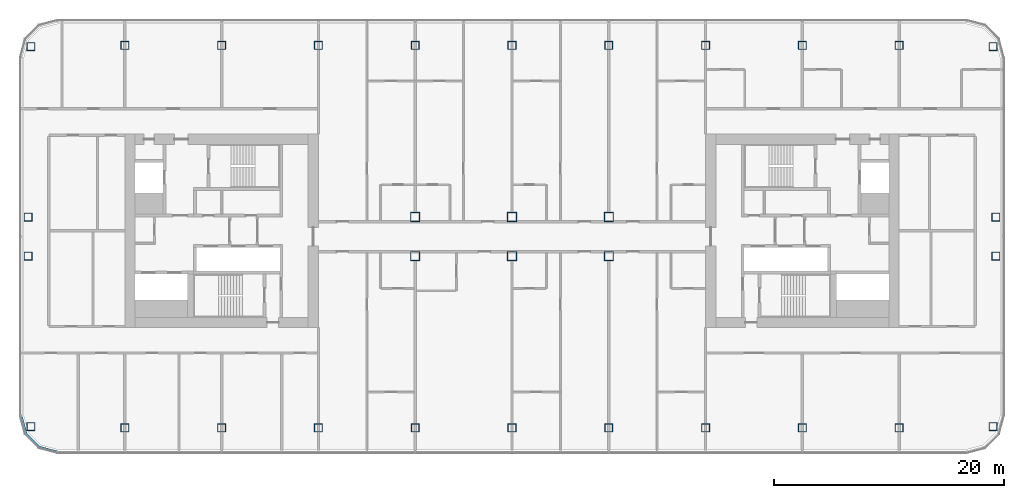
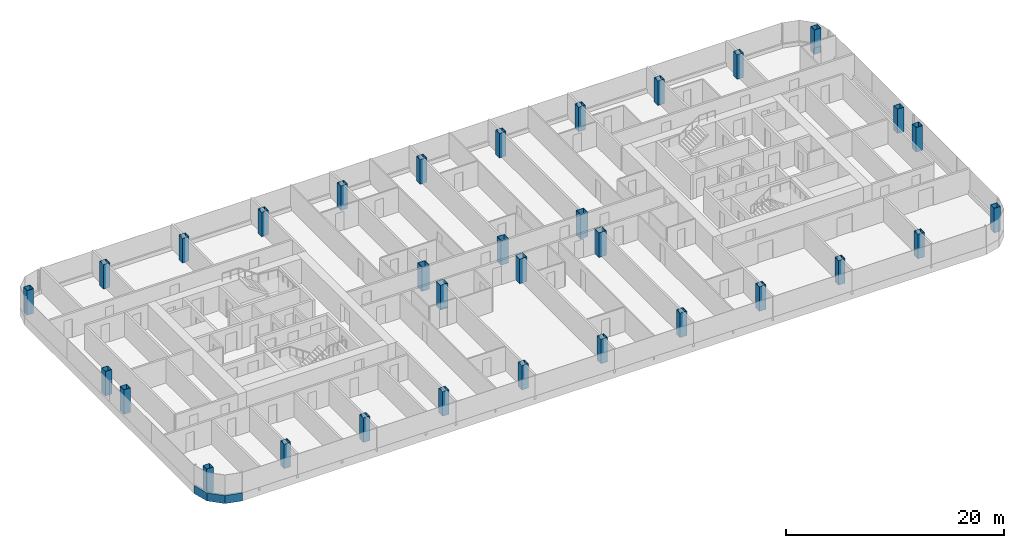
# One storey, part 1 of 26: 32 columns, 1 member, 1 element without a shape of its own.
"""IFC4 building model written with IfcOpenShell, lengths in metres."""

import ifcopenshell
import ifcopenshell.guid

model = None  # the IFC model being written
_history = None  # IfcOwnerHistory: only IFC2X3 demands one
_inside = {}  # id of a spatial element -> (the spatial element, [elements in it])
_under = {}  # id of a project, library or spatial element -> (it, [spatial elements below it])
_declared = {}  # id of a project -> (the project, [libraries it declares])
_typed = {}  # id of a type object -> (the type object, [elements of that type])
_made_of = {}  # id of a material, layer set ... -> (it, [elements and type objects made of it])


def new_model(schema):
    """Start an empty IFC model of exactly this schema.

    Asked for "IFC4X3", IfcOpenShell would pick the latest addendum, in which some entities
    have other attributes; the version numbers below select the first issue.
    IFC2X3 requires an IfcOwnerHistory on every rooted entity: one is made here for all.
    """
    global model, _history
    if schema == "IFC4X3":
        model = ifcopenshell.file(schema_version=(4, 3, 0, 0))
    else:
        model = ifcopenshell.file(schema=schema)
    _inside.clear()
    _under.clear()
    _declared.clear()
    _typed.clear()
    _made_of.clear()
    _history = None
    if model.schema == "IFC2X3":
        org = make("IfcOrganization", Name="unknown")
        user = make(
            "IfcPersonAndOrganization",
            ThePerson=make("IfcPerson", FamilyName="unknown"),
            TheOrganization=org,
        )
        app = make(
            "IfcApplication",
            ApplicationDeveloper=org,
            Version="unknown",
            ApplicationFullName="unknown",
            ApplicationIdentifier="unknown",
        )
        _history = make(
            "IfcOwnerHistory",
            OwningUser=user,
            OwningApplication=app,
            ChangeAction="ADDED",
            CreationDate=0,
        )
    return model


def make(cls, **values):
    """One entity of the class cls with the attributes given. An attribute that is None is left unset."""
    return model.create_entity(
        cls, **{name: value for name, value in values.items() if value is not None}
    )


def rooted(cls, **values):
    """An entity with a GlobalId (a new one), such as an element, a storey or a relation."""
    return make(cls, GlobalId=ifcopenshell.guid.new(), OwnerHistory=_history, **values)


def si_unit(unit_type, name, prefix=None):
    """IfcSIUnit, for example si_unit("LENGTHUNIT", "METRE", prefix="MILLI")."""
    return make("IfcSIUnit", UnitType=unit_type, Prefix=prefix, Name=name)


def assignment(units):
    """IfcUnitAssignment: the units of a project."""
    return None if units is None else make("IfcUnitAssignment", Units=units)


def point(xyz):
    """IfcCartesianPoint."""
    return None if xyz is None else make("IfcCartesianPoint", Coordinates=xyz)


def direction(xyz):
    """IfcDirection."""
    return None if xyz is None else make("IfcDirection", DirectionRatios=xyz)


def frame(location, z_axis=None, x_axis=None):
    """IfcAxis2Placement3D, a coordinate frame: its origin and axes. An axis left out is left unset."""
    return make(
        "IfcAxis2Placement3D",
        Location=point(location),
        Axis=direction(z_axis),
        RefDirection=direction(x_axis),
    )


def frame_2d(location, x_axis=None):
    """IfcAxis2Placement2D, a coordinate frame in the plane: its origin and x axis."""
    return make(
        "IfcAxis2Placement2D", Location=point(location), RefDirection=direction(x_axis)
    )


def origin():
    """The frame at (0, 0, 0) with its axes left unset."""
    return frame((0.0, 0.0, 0.0))


def origin_2d():
    """The frame at (0, 0) in the plane with its x axis left unset."""
    return frame_2d((0.0, 0.0))


def place(relative_to, where):
    """IfcLocalPlacement: puts the frame where relative to a parent placement (None: the world)."""
    return make(
        "IfcLocalPlacement", PlacementRelTo=relative_to, RelativePlacement=where
    )


def context(
    kind, dimensions, precision=None, world=None, true_north=None, identifier=None
):
    """IfcGeometricRepresentationContext, for example the 3D "Model" context."""
    return make(
        "IfcGeometricRepresentationContext",
        ContextIdentifier=identifier,
        ContextType=kind,
        CoordinateSpaceDimension=dimensions,
        Precision=precision,
        WorldCoordinateSystem=world,
        TrueNorth=true_north,
    )


def subcontext(parent, identifier, kind, view, scale=None):
    """IfcGeometricRepresentationSubContext, for example "Body" below "Model"."""
    return make(
        "IfcGeometricRepresentationSubContext",
        ContextIdentifier=identifier,
        ContextType=kind,
        ParentContext=parent,
        TargetScale=scale,
        TargetView=view,
    )


def project(units=None, contexts=None):
    """IfcProject with its units and contexts."""
    return rooted(
        "IfcProject",
        Name="project",
        RepresentationContexts=contexts,
        UnitsInContext=assignment(units),
    )


def spatial(cls, under=None, at=None, **own):
    """A site, building, storey or space (cls), placed at a placement, below another one or the project."""
    s = rooted(cls, ObjectPlacement=at, **own)
    if under is not None:
        _under.setdefault(under.id(), (under, []))[1].append(s)
    return s


def polyline(points):
    """IfcPolyline through the points."""
    return make("IfcPolyline", Points=[point(p) for p in points])


def profile(cls, at=None, kind="AREA", **sizes):
    """A parametric profile (cls). Its sizes go by their IFC names, for example OverallWidth=200.0."""
    return make(cls, ProfileType=kind, Position=at, **sizes)


def rectangle(**sizes):
    """IfcRectangleProfileDef."""
    return profile("IfcRectangleProfileDef", **sizes)


def hollow_rectangle(**sizes):
    """IfcRectangleHollowProfileDef."""
    return profile("IfcRectangleHollowProfileDef", **sizes)


def outline(outer, holes=None, kind="AREA"):
    """IfcArbitraryClosedProfileDef: a profile drawn as a closed curve; with holes, ...WithVoids."""
    if holes is None:
        return make("IfcArbitraryClosedProfileDef", ProfileType=kind, OuterCurve=outer)
    return make(
        "IfcArbitraryProfileDefWithVoids",
        ProfileType=kind,
        OuterCurve=outer,
        InnerCurves=holes,
    )


def extrude(swept, where, along, depth):
    """IfcExtrudedAreaSolid: the profile swept, set in the frame where, extruded along a direction by depth."""
    return make(
        "IfcExtrudedAreaSolid",
        SweptArea=swept,
        Position=where,
        ExtrudedDirection=direction(along),
        Depth=depth,
    )


def shape(context_of_items, identifier, shape_type, items):
    """IfcShapeRepresentation: the items that make up one representation, for example the "Body"."""
    return make(
        "IfcShapeRepresentation",
        ContextOfItems=context_of_items,
        RepresentationIdentifier=identifier,
        RepresentationType=shape_type,
        Items=items,
    )


def material(Name=None, Category=None):
    """IfcMaterial."""
    return make("IfcMaterial", Name=Name, Category=Category)


def layer(
    of_material, thickness, ventilated=None, Name=None, Category=None, Priority=None
):
    """IfcMaterialLayer: one layer of a wall or slab, of a material (None: an air gap)."""
    return make(
        "IfcMaterialLayer",
        Material=of_material,
        LayerThickness=thickness,
        IsVentilated=ventilated,
        Name=Name,
        Category=Category,
        Priority=Priority,
    )


def layer_set(layers, Name=None):
    """IfcMaterialLayerSet."""
    return make("IfcMaterialLayerSet", MaterialLayers=layers, LayerSetName=Name)


def material_profile(
    of_material, cross_section, Name=None, Category=None, Priority=None
):
    """IfcMaterialProfile: a cross section and its material."""
    return make(
        "IfcMaterialProfile",
        Name=Name,
        Material=of_material,
        Profile=cross_section,
        Priority=Priority,
        Category=Category,
    )


def profile_set(profiles, Name=None, composite=None):
    """IfcMaterialProfileSet."""
    return make(
        "IfcMaterialProfileSet",
        Name=Name,
        MaterialProfiles=profiles,
        CompositeProfile=composite,
    )


def made_of(thing, what):
    """Note that an element or type object is made of a material, layer set ...; save() writes the relation."""
    if what is not None:
        _made_of.setdefault(what.id(), (what, []))[1].append(thing)
    return thing


def type_object(cls, material=None, **own):
    """A type object (cls), such as IfcWallType, which elements share."""
    return made_of(rooted(cls, **own), material)


def element(
    cls,
    number,
    at=None,
    inside=None,
    cuts=None,
    type_object=None,
    material=None,
    context=None,
    identifier="Body",
    shape_type=None,
    held_by="IfcProductDefinitionShape",
    body=None,
    shapes=None,
    **own,
):
    """One element of the class cls, such as IfcWall. Its Tag is "e" and its number.

    at: its placement. inside: the storey or other place that contains it. cuts: it is an
    opening in that element (IfcRelVoidsElement). A single representation is given by context,
    identifier, shape_type and body (its items); several are given by shapes. held_by: the class
    of the entity that holds the representations. save() writes the other relations.
    """
    e = rooted(cls, Tag="e%d" % number, ObjectPlacement=at, **own)
    if body is not None:
        shapes = [shape(context, identifier, shape_type, body)]
    if shapes is not None:
        e.Representation = make(held_by, Representations=shapes)
    if inside is not None:
        _inside.setdefault(inside.id(), (inside, []))[1].append(e)
    if cuts is not None:
        rooted(
            "IfcRelVoidsElement", RelatingBuildingElement=cuts, RelatedOpeningElement=e
        )
    if type_object is not None:
        _typed.setdefault(type_object.id(), (type_object, []))[1].append(e)
    return made_of(e, material)


def aggregate(whole, parts):
    """IfcRelAggregates: a whole, such as a stair, and the parts it consists of."""
    return rooted("IfcRelAggregates", RelatingObject=whole, RelatedObjects=parts)


def save(model, path):
    """Write the relations noted so far, then the file.

    IfcRelAggregates (storeys below a building ...), IfcRelContainedInSpatialStructure (elements
    in a storey), IfcRelDefinesByType, IfcRelAssociatesMaterial and IfcRelDeclares: one each for
    every whole, place, type object, material and project.
    """
    for whole, parts in _under.values():
        aggregate(whole, parts)
    for where, things in _inside.values():
        rooted(
            "IfcRelContainedInSpatialStructure",
            RelatedElements=things,
            RelatingStructure=where,
        )
    for kind, things in _typed.values():
        rooted("IfcRelDefinesByType", RelatedObjects=things, RelatingType=kind)
    for what, things in _made_of.values():
        rooted("IfcRelAssociatesMaterial", RelatedObjects=things, RelatingMaterial=what)
    for by, libraries in _declared.values():
        rooted("IfcRelDeclares", RelatingContext=by, RelatedDefinitions=libraries)
    model.write(path)


model = new_model("IFC4")

# Units and contexts
model_context = context("Model", 3, precision=1e-05, world=origin(), true_north=direction((0.0, 1.0)))
body_context = subcontext(model_context, "Body", "Model", "MODEL_VIEW")
ifc_project = project(units=[si_unit("LENGTHUNIT", "METRE"), si_unit("AREAUNIT", "SQUARE_METRE"), si_unit("VOLUMEUNIT", "CUBIC_METRE"), si_unit("PLANEANGLEUNIT", "RADIAN"), si_unit("MASSUNIT", "GRAM", prefix="KILO")], contexts=[model_context])

# Site, building, storey
site_placement = place(None, origin())
site = spatial("IfcSite", under=ifc_project, at=site_placement, CompositionType="ELEMENT")
building_placement = place(site_placement, origin())
building = spatial("IfcBuilding", under=site, at=building_placement, Name="Hakoniwa Tower and Hamabe Station Hall", CompositionType="ELEMENT")
storey_placement = place(building_placement, frame((0.0, 0.0, 143.800048828125)))
storey = spatial("IfcBuildingStorey", under=building, at=storey_placement, Name="L40", CompositionType="ELEMENT", Elevation=143.800048828125)

# Columns
ifc_material_1 = material(Name="Steel SN490C", Category="steel")
ifc_material_profile_1 = material_profile(ifc_material_1, hollow_rectangle(XDim=0.699951171875, YDim=0.699951171875, WallThickness=0.028076171875, at=origin_2d()), Name="BX-700x700x28")
ifc_profile_set_1 = profile_set([ifc_material_profile_1], Name="Steel SN490C")
column_type_1 = type_object("IfcColumnType", Name="COLUMN BX-700x700x28", PredefinedType="COLUMN", material=ifc_profile_set_1)
for number, where, z_axis, x_axis, name in (
    (1, (-41.74853515625, -16.99365234375, 0.0), (0.0, 0.0, 1.0), (1.0, 0.0, 0.0), "Column B3-2-A3"),
    (2, (-42.0, -2.199951171875, 0.0), (0.0, 0.0, 1.0), (1.0, 0.0, 0.0), "Column B3-2-C3"),
    (3, (-42.0, 1.199951171875, 0.0), (0.0, 0.0, 1.0), (1.0, 0.0, 0.0), "Column B3-2-D3"),
    (4, (-41.74853515625, 15.99365234375, 0.0), (0.0, 0.0, 1.0), (1.0, 0.0, 0.0), "Column B3-2-F3"),
    (5, (-33.60009765625, -17.10009765625, 0.0), (0.0, 0.0, 1.0), (1.0, 0.0, 0.0), "Column B3-3-A3"),
    (6, (-33.60009765625, 16.10009765625, 0.0), (0.0, 0.0, 1.0), (1.0, 0.0, 0.0), "Column B3-3-F3"),
    (7, (-25.199951171875, -17.10009765625, 0.0), (0.0, 0.0, 1.0), (1.0, 0.0, 0.0), "Column B3-4-A3"),
    (8, (-25.199951171875, 16.10009765625, 0.0), (0.0, 0.0, 1.0), (1.0, 0.0, 0.0), "Column B3-4-F3"),
    (9, (-16.800048828125, -17.10009765625, 0.0), (0.0, 0.0, 1.0), (1.0, 0.0, 0.0), "Column B3-5-A3"),
    (10, (-16.800048828125, 16.10009765625, 0.0), (0.0, 0.0, 1.0), (1.0, 0.0, 0.0), "Column B3-5-F3"),
    (11, (-8.39990234375, -17.10009765625, 0.0), (0.0, 0.0, 1.0), (1.0, 0.0, 0.0), "Column B3-6-A3"),
    (12, (-8.39990234375, 16.10009765625, 0.0), (0.0, 0.0, 1.0), (1.0, 0.0, 0.0), "Column B3-6-F3"),
    (13, (0.0, -17.10009765625, 0.0), (0.0, 0.0, 1.0), (1.0, 0.0, 0.0), "Column B3-7-A3"),
    (14, (0.0, 16.10009765625, 0.0), (0.0, 0.0, 1.0), (1.0, 0.0, 0.0), "Column B3-7-F3"),
    (15, (8.39990234375, -17.10009765625, 0.0), (0.0, 0.0, 1.0), (1.0, 0.0, 0.0), "Column B3-8-A3"),
    (16, (8.39990234375, 16.10009765625, 0.0), (0.0, 0.0, 1.0), (1.0, 0.0, 0.0), "Column B3-8-F3"),
    (17, (16.800048828125, -17.10009765625, 0.0), (0.0, 0.0, 1.0), (1.0, 0.0, 0.0), "Column B3-9-A3"),
    (18, (16.800048828125, 16.10009765625, 0.0), (0.0, 0.0, 1.0), (1.0, 0.0, 0.0), "Column B3-9-F3"),
    (19, (25.199951171875, -17.10009765625, 0.0), (0.0, 0.0, 1.0), (1.0, 0.0, 0.0), "Column B3-10-A3"),
    (20, (25.199951171875, 16.10009765625, 0.0), (0.0, 0.0, 1.0), (1.0, 0.0, 0.0), "Column B3-10-F3"),
    (21, (33.60009765625, -17.10009765625, 0.0), (0.0, 0.0, 1.0), (1.0, 0.0, 0.0), "Column B3-11-A3"),
    (22, (33.60009765625, 16.10009765625, 0.0), (0.0, 0.0, 1.0), (1.0, 0.0, 0.0), "Column B3-11-F3"),
    (23, (41.74853515625, -16.99365234375, 0.0), (0.0, 0.0, 1.0), (1.0, 0.0, 0.0), "Column B3-12-A3"),
    (24, (42.0, -2.199951171875, 0.0), (0.0, 0.0, 1.0), (1.0, 0.0, 0.0), "Column B3-12-C3"),
    (25, (42.0, 1.199951171875, 0.0), (0.0, 0.0, 1.0), (1.0, 0.0, 0.0), "Column B3-12-D3"),
    (26, (41.74853515625, 15.99365234375, 0.0), (0.0, 0.0, 1.0), (1.0, 0.0, 0.0), "Column B3-12-F3"),
):
    element("IfcColumn", number, at=place(storey_placement, frame(where, z_axis=z_axis, x_axis=x_axis)), inside=storey, type_object=column_type_1, Name=name, PredefinedType="COLUMN", context=body_context, shape_type="SweptSolid", body=[
        extrude(hollow_rectangle(XDim=0.699951171875, YDim=0.699951171875, WallThickness=0.028076171875, at=origin_2d()), origin(), (0.0, 0.0, 1.0), 2.75),
    ])
ifc_material_2 = material(Name="Steel SN490C", Category="steel")
ifc_material_profile_2 = material_profile(ifc_material_2, hollow_rectangle(XDim=0.800048828125, YDim=0.800048828125, WallThickness=0.031982421875, at=origin_2d()), Name="BX-800x800x32")
ifc_profile_set_2 = profile_set([ifc_material_profile_2], Name="Steel SN490C")
column_type_2 = type_object("IfcColumnType", Name="COLUMN BX-800x800x32", PredefinedType="COLUMN", material=ifc_profile_set_2)
for number, where, z_axis, x_axis, name in (
    (27, (-8.39990234375, -2.199951171875, 0.0), (0.0, 0.0, 1.0), (1.0, 0.0, 0.0), "Column B3-6-C3"),
    (28, (-8.39990234375, 1.199951171875, 0.0), (0.0, 0.0, 1.0), (1.0, 0.0, 0.0), "Column B3-6-D3"),
    (29, (0.0, -2.199951171875, 0.0), (0.0, 0.0, 1.0), (1.0, 0.0, 0.0), "Column B3-7-C3"),
    (30, (0.0, 1.199951171875, 0.0), (0.0, 0.0, 1.0), (1.0, 0.0, 0.0), "Column B3-7-D3"),
    (31, (8.39990234375, -2.199951171875, 0.0), (0.0, 0.0, 1.0), (1.0, 0.0, 0.0), "Column B3-8-C3"),
    (32, (8.39990234375, 1.199951171875, 0.0), (0.0, 0.0, 1.0), (1.0, 0.0, 0.0), "Column B3-8-D3"),
):
    element("IfcColumn", number, at=place(storey_placement, frame(where, z_axis=z_axis, x_axis=x_axis)), inside=storey, type_object=column_type_2, Name=name, PredefinedType="COLUMN", context=body_context, shape_type="SweptSolid", body=[
        extrude(hollow_rectangle(XDim=0.800048828125, YDim=0.800048828125, WallThickness=0.031982421875, at=origin_2d()), origin(), (0.0, 0.0, 1.0), 2.75),
    ])

# Curtain wall, member
ifc_material_3 = material(Name="Dark low-e laminated glass", Category="glass")
ifc_layer = layer(ifc_material_3, 0.199951171875)
ifc_layer_set = layer_set([ifc_layer], Name="CW-1 UNITISED GUEST")
curtain_wall_type = type_object("IfcCurtainWallType", Name="CW-1 UNITISED GUEST", PredefinedType="NOTDEFINED", material=ifc_layer_set)
curtain_wall_placement = place(storey_placement, origin())
curtain_wall = element("IfcCurtainWall", 33, at=curtain_wall_placement, inside=storey, type_object=curtain_wall_type, Name="CW-1 curtain wall", PredefinedType="NOTDEFINED")
ifc_material_4 = material(Name="Aluminium 6063-T5 black anodised", Category="aluminium")
ifc_material_profile_3 = material_profile(ifc_material_4, rectangle(XDim=0.199951171875, YDim=0.89990234375, at=origin_2d()), Name="CW SLAB-EDGE BAND 900X200")
ifc_profile_set_3 = profile_set([ifc_material_profile_3], Name="Aluminium 6063-T5 black anodised")
member_type = type_object("IfcMemberType", Name="CW SLAB-EDGE BAND 900X200", PredefinedType="USERDEFINED", material=ifc_profile_set_3)
member_placement = place(storey_placement, frame((0.0, 0.0, -0.550048828125)))
member = element("IfcMember", 34, at=member_placement, type_object=member_type, Name="CW-1 transom", ObjectType="TRANSOM", PredefinedType="USERDEFINED", context=body_context, shape_type="SweptSolid", body=[
    extrude(outline(polyline([(-42.699951171875, -16.03955078125), (-42.26708984375, -17.6552734375), (-41.05517578125, -18.866943359375), (-39.439453125, -19.300048828125), (-39.3876953125, -19.10693359375), (-40.95166015625, -18.687744140625), (-42.087646484375, -17.5517578125), (-42.5068359375, -15.98779296875), (-42.699951171875, -16.03955078125)])), origin(), (0.0, 0.0, 1.0), 0.89990234375),
])
aggregate(curtain_wall, [member])

save(model, "model.ifc")
